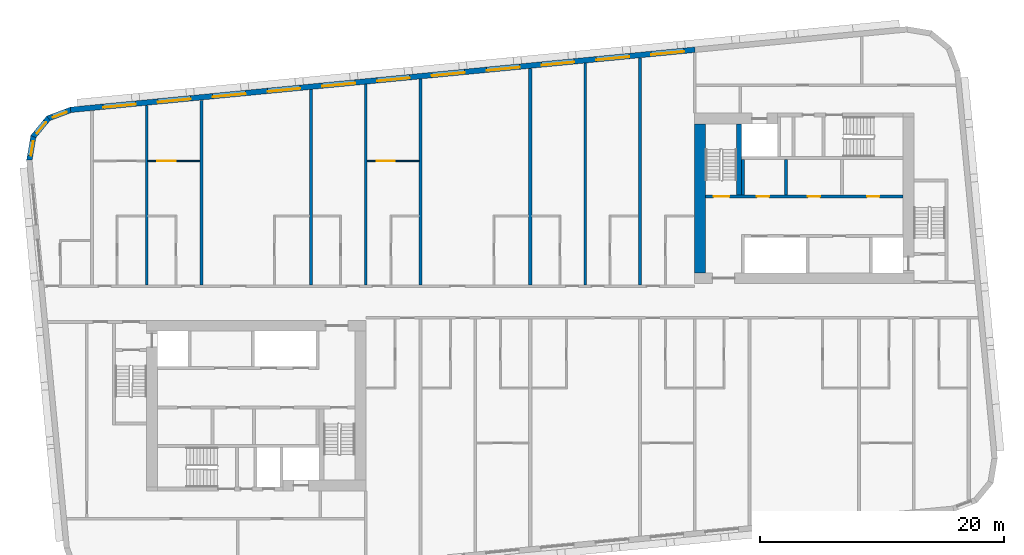
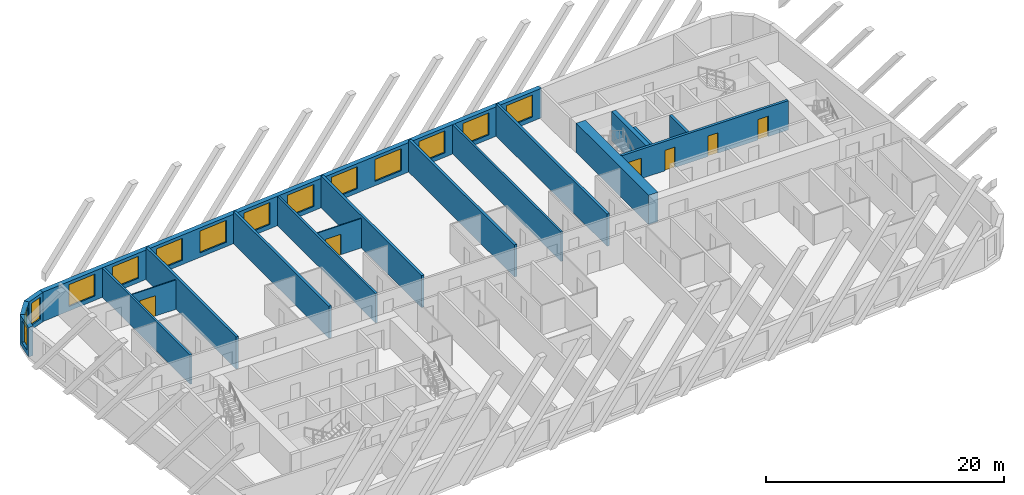
# One storey, part 6 of 13: 19 walls, 14 windows, 6 doors, 20 openings.
"""IFC4 building model written with IfcOpenShell, lengths in metres."""

from ifc_helpers import new_model, si_unit, direction, frame, frame_2d, origin, place, context, subcontext, project, spatial, polyline, rectangle, outline, extrude, material, layer, layer_set, type_object, element, fill, save


model = new_model("IFC4")

# Units and contexts
model_context = context("Model", 3, precision=1e-05, world=origin(), true_north=direction((0.0, 1.0)))
body_context = subcontext(model_context, "Body", "Model", "MODEL_VIEW")
ifc_project = project(units=[si_unit("LENGTHUNIT", "METRE"), si_unit("AREAUNIT", "SQUARE_METRE"), si_unit("VOLUMEUNIT", "CUBIC_METRE"), si_unit("PLANEANGLEUNIT", "RADIAN"), si_unit("MASSUNIT", "GRAM", prefix="KILO")], contexts=[model_context])

# Site, building, storey
site_placement = place(None, origin())
site = spatial("IfcSite", under=ifc_project, at=site_placement, CompositionType="ELEMENT")
building_placement = place(site_placement, origin())
building = spatial("IfcBuilding", under=site, at=building_placement, Name="Kajstack Hotel Tower", CompositionType="ELEMENT")
storey_placement = place(building_placement, frame((0.0, 0.0, 298.199951171875)))
storey = spatial("IfcBuildingStorey", under=building, at=storey_placement, Name="L75", CompositionType="ELEMENT", Elevation=298.199951171875)

# Walls
ifc_material_1 = material(Name="Concrete C60/75", Category="concrete")
ifc_layer_1 = layer(ifc_material_1, 0.89990234375)
ifc_layer_set_1 = layer_set([ifc_layer_1], Name="Core wall 900")
wall_type_1 = type_object("IfcWallType", Name="Core wall 900", PredefinedType="SHEAR", material=ifc_layer_set_1)
wall_1_placement = place(storey_placement, frame((13.949951171875, 2.39990234375, 0.0), z_axis=(0.0, 0.0, 1.0), x_axis=(0.0, 1.0, 0.0)))
element("IfcWall", 1, at=wall_1_placement, inside=storey, type_object=wall_type_1, Name="Core wall E RE", PredefinedType="SHEAR", context=body_context, shape_type="SweptSolid", body=[
    extrude(rectangle(XDim=12.2001953125, YDim=0.89990234375, at=frame_2d((6.10009765625, 0.0))), origin(), (0.0, 0.0, 1.0), 3.02001953125),
])
ifc_material_2 = material(Name="Twin-frame gypsum board on steel studs, mineral wool", Category="steel")
ifc_layer_2 = layer(ifc_material_2, 0.199951171875)
ifc_layer_set_2 = layer_set([ifc_layer_2], Name="Demising wall 200")
wall_type_2 = type_object("IfcWallType", Name="Demising wall 200", PredefinedType="PARTITIONING", material=ifc_layer_set_2)
wall_2_placement = place(storey_placement, frame((-31.5, 1.39990234375, 0.0), z_axis=(0.0, 0.0, 1.0), x_axis=(0.0, 1.0, 0.0)))
element("IfcWall", 2, at=wall_2_placement, inside=storey, type_object=wall_type_2, Name="G-wall-L75-006", PredefinedType="PARTITIONING", context=body_context, shape_type="SweptSolid", body=[
    extrude(rectangle(XDim=14.752197265625, YDim=0.199951171875, at=frame_2d((7.3759765625, 0.0))), origin(), (0.0, 0.0, 1.0), 3.02001953125),
])
wall_3_placement = place(storey_placement, frame((-13.5, 1.39990234375, 0.0), z_axis=(0.0, 0.0, 1.0), x_axis=(0.0, 1.0, 0.0)))
element("IfcWall", 3, at=wall_3_placement, inside=storey, type_object=wall_type_2, Name="G-wall-L75-015", PredefinedType="PARTITIONING", context=body_context, shape_type="SweptSolid", body=[
    extrude(rectangle(XDim=16.485107421875, YDim=0.199951171875, at=frame_2d((8.24267578125, 0.0))), origin(), (0.0, 0.0, 1.0), 3.02001953125),
])
wall_4_placement = place(storey_placement, frame((4.5, 1.39990234375, 0.0), z_axis=(0.0, 0.0, 1.0), x_axis=(0.0, 1.0, 0.0)))
element("IfcWall", 4, at=wall_4_placement, inside=storey, type_object=wall_type_2, Name="G-wall-L75-023", PredefinedType="PARTITIONING", context=body_context, shape_type="SweptSolid", body=[
    extrude(rectangle(XDim=18.218017578125, YDim=0.199951171875, at=frame_2d((9.10888671875, 0.0))), origin(), (0.0, 0.0, 1.0), 3.02001953125),
])

# Wall, openings, windows
ifc_material_3 = material(Name="Terracotta-faced brick masonry", Category="masonry")
ifc_layer_3 = layer(ifc_material_3, 0.449951171875)
ifc_layer_set_3 = layer_set([ifc_layer_3], Name="EW-TERRA")
wall_type_3 = type_object("IfcWallType", Name="EW-TERRA", PredefinedType="SOLIDWALL", material=ifc_layer_set_3)
wall_5_placement = place(storey_placement, frame((13.521484375, 20.712890625, 0.0), z_axis=(0.0, 0.0, 1.0), x_axis=(-0.995396277313, -0.095844932638, 0.0)))
wall_5 = element("IfcWall", 5, at=wall_5_placement, inside=storey, type_object=wall_type_3, Name="E-wall-L75-12-01", PredefinedType="SOLIDWALL", context=body_context, shape_type="SweptSolid", body=[
    extrude(rectangle(XDim=51.4951171875, YDim=0.449951171875, at=frame_2d((25.74755859375, 0.0))), origin(), (0.0, 0.0, 1.0), 3.02001953125),
])
opening_1_placement = place(wall_5_placement, frame((0.910400390625, 0.0, 0.449951171875)))
opening_1 = element("IfcOpeningElement", 6, at=opening_1_placement, cuts=wall_5, Name="Opening W1", PredefinedType="OPENING", context=body_context, shape_type="SweptSolid", body=[
    extrude(rectangle(XDim=2.699951171875, YDim=2.25, at=frame_2d((1.35009765625, 1.125))), frame((0.0, 0.23486328125, 0.0), z_axis=(0.0, -1.0, 0.0), x_axis=(1.0, 0.0, 0.0)), (0.0, 0.0, 1.0), 0.469970703125),
])
opening_2_placement = place(wall_5_placement, frame((5.43115234375, 0.0, 0.449951171875)))
opening_2 = element("IfcOpeningElement", 7, at=opening_2_placement, cuts=wall_5, Name="Opening W1", PredefinedType="OPENING", context=body_context, shape_type="SweptSolid", body=[
    extrude(rectangle(XDim=2.699951171875, YDim=2.25, at=frame_2d((1.35009765625, 1.125))), frame((0.0, 0.23486328125, 0.0), z_axis=(0.0, -1.0, 0.0), x_axis=(1.0, 0.0, 0.0)), (0.0, 0.0, 1.0), 0.469970703125),
])
opening_3_placement = place(wall_5_placement, frame((9.951904296875, 0.0, 0.449951171875)))
opening_3 = element("IfcOpeningElement", 8, at=opening_3_placement, cuts=wall_5, Name="Opening W1", PredefinedType="OPENING", context=body_context, shape_type="SweptSolid", body=[
    extrude(rectangle(XDim=2.699951171875, YDim=2.25, at=frame_2d((1.35009765625, 1.125))), frame((0.0, 0.23486328125, 0.0), z_axis=(0.0, -1.0, 0.0), x_axis=(1.0, 0.0, 0.0)), (0.0, 0.0, 1.0), 0.469970703125),
])
opening_4_placement = place(wall_5_placement, frame((14.472900390625, 0.0, 0.449951171875)))
opening_4 = element("IfcOpeningElement", 9, at=opening_4_placement, cuts=wall_5, Name="Opening W1", PredefinedType="OPENING", context=body_context, shape_type="SweptSolid", body=[
    extrude(rectangle(XDim=2.699951171875, YDim=2.25, at=frame_2d((1.35009765625, 1.125))), frame((0.0, 0.23486328125, 0.0), z_axis=(0.0, -1.0, 0.0), x_axis=(1.0, 0.0, 0.0)), (0.0, 0.0, 1.0), 0.469970703125),
])
opening_5_placement = place(wall_5_placement, frame((18.99365234375, 0.0, 0.449951171875)))
opening_5 = element("IfcOpeningElement", 10, at=opening_5_placement, cuts=wall_5, Name="Opening W1", PredefinedType="OPENING", context=body_context, shape_type="SweptSolid", body=[
    extrude(rectangle(XDim=2.699951171875, YDim=2.25, at=frame_2d((1.35009765625, 1.125))), frame((0.0, 0.23486328125, 0.0), z_axis=(0.0, -1.0, 0.0), x_axis=(1.0, 0.0, 0.0)), (0.0, 0.0, 1.0), 0.469970703125),
])
opening_6_placement = place(wall_5_placement, frame((23.514404296875, 0.0, 0.449951171875)))
opening_6 = element("IfcOpeningElement", 11, at=opening_6_placement, cuts=wall_5, Name="Opening W1", PredefinedType="OPENING", context=body_context, shape_type="SweptSolid", body=[
    extrude(rectangle(XDim=2.699951171875, YDim=2.25, at=frame_2d((1.35009765625, 1.125))), frame((0.0, 0.23486328125, 0.0), z_axis=(0.0, -1.0, 0.0), x_axis=(1.0, 0.0, 0.0)), (0.0, 0.0, 1.0), 0.469970703125),
])
opening_7_placement = place(wall_5_placement, frame((28.035400390625, 0.0, 0.449951171875)))
opening_7 = element("IfcOpeningElement", 12, at=opening_7_placement, cuts=wall_5, Name="Opening W1", PredefinedType="OPENING", context=body_context, shape_type="SweptSolid", body=[
    extrude(rectangle(XDim=2.699951171875, YDim=2.25, at=frame_2d((1.35009765625, 1.125))), frame((0.0, 0.23486328125, 0.0), z_axis=(0.0, -1.0, 0.0), x_axis=(1.0, 0.0, 0.0)), (0.0, 0.0, 1.0), 0.469970703125),
])
opening_8_placement = place(wall_5_placement, frame((32.55615234375, 0.0, 0.449951171875)))
opening_8 = element("IfcOpeningElement", 13, at=opening_8_placement, cuts=wall_5, Name="Opening W1", PredefinedType="OPENING", context=body_context, shape_type="SweptSolid", body=[
    extrude(rectangle(XDim=2.699951171875, YDim=2.25, at=frame_2d((1.35009765625, 1.125))), frame((0.0, 0.23486328125, 0.0), z_axis=(0.0, -1.0, 0.0), x_axis=(1.0, 0.0, 0.0)), (0.0, 0.0, 1.0), 0.469970703125),
])
opening_9_placement = place(wall_5_placement, frame((37.076904296875, 0.0, 0.449951171875)))
opening_9 = element("IfcOpeningElement", 14, at=opening_9_placement, cuts=wall_5, Name="Opening W1", PredefinedType="OPENING", context=body_context, shape_type="SweptSolid", body=[
    extrude(rectangle(XDim=2.699951171875, YDim=2.25, at=frame_2d((1.35009765625, 1.125))), frame((0.0, 0.23486328125, 0.0), z_axis=(0.0, -1.0, 0.0), x_axis=(1.0, 0.0, 0.0)), (0.0, 0.0, 1.0), 0.469970703125),
])
opening_10_placement = place(wall_5_placement, frame((41.59765625, 0.0, 0.449951171875)))
opening_10 = element("IfcOpeningElement", 15, at=opening_10_placement, cuts=wall_5, Name="Opening W1", PredefinedType="OPENING", context=body_context, shape_type="SweptSolid", body=[
    extrude(rectangle(XDim=2.699951171875, YDim=2.25, at=frame_2d((1.35009765625, 1.125))), frame((0.0, 0.23486328125, 0.0), z_axis=(0.0, -1.0, 0.0), x_axis=(1.0, 0.0, 0.0)), (0.0, 0.0, 1.0), 0.469970703125),
])
opening_11_placement = place(wall_5_placement, frame((46.118408203125, 0.0, 0.449951171875)))
opening_11 = element("IfcOpeningElement", 16, at=opening_11_placement, cuts=wall_5, Name="Opening W1", PredefinedType="OPENING", context=body_context, shape_type="SweptSolid", body=[
    extrude(rectangle(XDim=2.699951171875, YDim=2.25, at=frame_2d((1.35009765625, 1.125))), frame((0.0, 0.23486328125, 0.0), z_axis=(0.0, -1.0, 0.0), x_axis=(1.0, 0.0, 0.0)), (0.0, 0.0, 1.0), 0.469970703125),
])
ifc_material_4 = material(Name="Timber-aluminium window, triple glazed", Category="wood")
window_type_1 = type_object("IfcWindowType", Name="WG1", PartitioningType="SINGLE_PANEL", PredefinedType="WINDOW", material=ifc_material_4)
window_1_placement = place(opening_1_placement, origin())
window_1 = element("IfcWindow", 17, at=window_1_placement, inside=storey, type_object=window_type_1, Name="Window W1 L75-12", OverallHeight=2.25, OverallWidth=2.699951171875, PartitioningType="SINGLE_PANEL", PredefinedType="WINDOW", context=body_context, shape_type="SweptSolid", body=[
    extrude(rectangle(XDim=2.699951171875, YDim=2.25, at=frame_2d((1.35009765625, 1.125))), frame((0.0, 0.090087890625, 0.0), z_axis=(0.0, -1.0, 0.0), x_axis=(1.0, 0.0, 0.0)), (0.0, 0.0, 1.0), 0.06005859375),
])
fill(opening_1, window_1)
window_2_placement = place(opening_2_placement, origin())
window_2 = element("IfcWindow", 18, at=window_2_placement, inside=storey, type_object=window_type_1, Name="Window W1 L75-12", OverallHeight=2.25, OverallWidth=2.699951171875, PartitioningType="SINGLE_PANEL", PredefinedType="WINDOW", context=body_context, shape_type="SweptSolid", body=[
    extrude(rectangle(XDim=2.699951171875, YDim=2.25, at=frame_2d((1.35009765625, 1.125))), frame((0.0, 0.090087890625, 0.0), z_axis=(0.0, -1.0, 0.0), x_axis=(1.0, 0.0, 0.0)), (0.0, 0.0, 1.0), 0.06005859375),
])
fill(opening_2, window_2)
window_3_placement = place(opening_3_placement, origin())
window_3 = element("IfcWindow", 19, at=window_3_placement, inside=storey, type_object=window_type_1, Name="Window W1 L75-12", OverallHeight=2.25, OverallWidth=2.699951171875, PartitioningType="SINGLE_PANEL", PredefinedType="WINDOW", context=body_context, shape_type="SweptSolid", body=[
    extrude(rectangle(XDim=2.699951171875, YDim=2.25, at=frame_2d((1.35009765625, 1.125))), frame((0.0, 0.090087890625, 0.0), z_axis=(0.0, -1.0, 0.0), x_axis=(1.0, 0.0, 0.0)), (0.0, 0.0, 1.0), 0.06005859375),
])
fill(opening_3, window_3)
window_4_placement = place(opening_4_placement, origin())
window_4 = element("IfcWindow", 20, at=window_4_placement, inside=storey, type_object=window_type_1, Name="Window W1 L75-12", OverallHeight=2.25, OverallWidth=2.699951171875, PartitioningType="SINGLE_PANEL", PredefinedType="WINDOW", context=body_context, shape_type="SweptSolid", body=[
    extrude(rectangle(XDim=2.699951171875, YDim=2.25, at=frame_2d((1.35009765625, 1.125))), frame((0.0, 0.090087890625, 0.0), z_axis=(0.0, -1.0, 0.0), x_axis=(1.0, 0.0, 0.0)), (0.0, 0.0, 1.0), 0.06005859375),
])
fill(opening_4, window_4)
window_5_placement = place(opening_5_placement, origin())
window_5 = element("IfcWindow", 21, at=window_5_placement, inside=storey, type_object=window_type_1, Name="Window W1 L75-12", OverallHeight=2.25, OverallWidth=2.699951171875, PartitioningType="SINGLE_PANEL", PredefinedType="WINDOW", context=body_context, shape_type="SweptSolid", body=[
    extrude(rectangle(XDim=2.699951171875, YDim=2.25, at=frame_2d((1.35009765625, 1.125))), frame((0.0, 0.090087890625, 0.0), z_axis=(0.0, -1.0, 0.0), x_axis=(1.0, 0.0, 0.0)), (0.0, 0.0, 1.0), 0.06005859375),
])
fill(opening_5, window_5)
window_6_placement = place(opening_6_placement, origin())
window_6 = element("IfcWindow", 22, at=window_6_placement, inside=storey, type_object=window_type_1, Name="Window W1 L75-12", OverallHeight=2.25, OverallWidth=2.699951171875, PartitioningType="SINGLE_PANEL", PredefinedType="WINDOW", context=body_context, shape_type="SweptSolid", body=[
    extrude(rectangle(XDim=2.699951171875, YDim=2.25, at=frame_2d((1.35009765625, 1.125))), frame((0.0, 0.090087890625, 0.0), z_axis=(0.0, -1.0, 0.0), x_axis=(1.0, 0.0, 0.0)), (0.0, 0.0, 1.0), 0.06005859375),
])
fill(opening_6, window_6)
window_7_placement = place(opening_7_placement, origin())
window_7 = element("IfcWindow", 23, at=window_7_placement, inside=storey, type_object=window_type_1, Name="Window W1 L75-12", OverallHeight=2.25, OverallWidth=2.699951171875, PartitioningType="SINGLE_PANEL", PredefinedType="WINDOW", context=body_context, shape_type="SweptSolid", body=[
    extrude(rectangle(XDim=2.699951171875, YDim=2.25, at=frame_2d((1.35009765625, 1.125))), frame((0.0, 0.090087890625, 0.0), z_axis=(0.0, -1.0, 0.0), x_axis=(1.0, 0.0, 0.0)), (0.0, 0.0, 1.0), 0.06005859375),
])
fill(opening_7, window_7)
window_8_placement = place(opening_8_placement, origin())
window_8 = element("IfcWindow", 24, at=window_8_placement, inside=storey, type_object=window_type_1, Name="Window W1 L75-12", OverallHeight=2.25, OverallWidth=2.699951171875, PartitioningType="SINGLE_PANEL", PredefinedType="WINDOW", context=body_context, shape_type="SweptSolid", body=[
    extrude(rectangle(XDim=2.699951171875, YDim=2.25, at=frame_2d((1.35009765625, 1.125))), frame((0.0, 0.090087890625, 0.0), z_axis=(0.0, -1.0, 0.0), x_axis=(1.0, 0.0, 0.0)), (0.0, 0.0, 1.0), 0.06005859375),
])
fill(opening_8, window_8)
window_9_placement = place(opening_9_placement, origin())
window_9 = element("IfcWindow", 25, at=window_9_placement, inside=storey, type_object=window_type_1, Name="Window W1 L75-12", OverallHeight=2.25, OverallWidth=2.699951171875, PartitioningType="SINGLE_PANEL", PredefinedType="WINDOW", context=body_context, shape_type="SweptSolid", body=[
    extrude(rectangle(XDim=2.699951171875, YDim=2.25, at=frame_2d((1.35009765625, 1.125))), frame((0.0, 0.090087890625, 0.0), z_axis=(0.0, -1.0, 0.0), x_axis=(1.0, 0.0, 0.0)), (0.0, 0.0, 1.0), 0.06005859375),
])
fill(opening_9, window_9)
window_10_placement = place(opening_10_placement, origin())
window_10 = element("IfcWindow", 26, at=window_10_placement, inside=storey, type_object=window_type_1, Name="Window W1 L75-12", OverallHeight=2.25, OverallWidth=2.699951171875, PartitioningType="SINGLE_PANEL", PredefinedType="WINDOW", context=body_context, shape_type="SweptSolid", body=[
    extrude(rectangle(XDim=2.699951171875, YDim=2.25, at=frame_2d((1.35009765625, 1.125))), frame((0.0, 0.090087890625, 0.0), z_axis=(0.0, -1.0, 0.0), x_axis=(1.0, 0.0, 0.0)), (0.0, 0.0, 1.0), 0.06005859375),
])
fill(opening_10, window_10)
window_11_placement = place(opening_11_placement, origin())
window_11 = element("IfcWindow", 27, at=window_11_placement, inside=storey, type_object=window_type_1, Name="Window W1 L75-12", OverallHeight=2.25, OverallWidth=2.699951171875, PartitioningType="SINGLE_PANEL", PredefinedType="WINDOW", context=body_context, shape_type="SweptSolid", body=[
    extrude(rectangle(XDim=2.699951171875, YDim=2.25, at=frame_2d((1.35009765625, 1.125))), frame((0.0, 0.090087890625, 0.0), z_axis=(0.0, -1.0, 0.0), x_axis=(1.0, 0.0, 0.0)), (0.0, 0.0, 1.0), 0.06005859375),
])
fill(opening_11, window_11)

# Wall, opening, window
wall_6_placement = place(storey_placement, frame((-37.67919921875, 15.79052734375, 0.0), z_axis=(0.0, 0.0, 1.0), x_axis=(-0.936677599948, -0.350192909346, 0.0)))
wall_6 = element("IfcWall", 28, at=wall_6_placement, inside=storey, type_object=wall_type_3, Name="E-wall-L75-13-00", PredefinedType="SOLIDWALL", context=body_context, shape_type="SweptSolid", body=[
    extrude(outline(polyline([(0.000244140625, -0.224853515625), (2.070556640625, -0.224853515625), (1.949951171875, 0.22509765625), (0.12060546875, 0.22509765625), (0.000244140625, -0.224853515625)])), origin(), (0.0, 0.0, 1.0), 3.02001953125),
])
opening_12_placement = place(wall_6_placement, frame((0.435302734375, 0.0, 0.449951171875)))
opening_12 = element("IfcOpeningElement", 29, at=opening_12_placement, cuts=wall_6, Name="Opening W3", PredefinedType="OPENING", context=body_context, shape_type="SweptSolid", body=[
    extrude(rectangle(XDim=1.199951171875, YDim=2.25, at=frame_2d((0.60009765625, 1.125))), frame((0.0, 0.23486328125, 0.0), z_axis=(0.0, -1.0, 0.0), x_axis=(1.0, 0.0, 0.0)), (0.0, 0.0, 1.0), 0.469970703125),
])
window_type_2 = type_object("IfcWindowType", Name="WG3", PartitioningType="SINGLE_PANEL", PredefinedType="WINDOW", material=ifc_material_4)
window_12_placement = place(opening_12_placement, origin())
window_12 = element("IfcWindow", 30, at=window_12_placement, inside=storey, type_object=window_type_2, Name="Window W3 L75-13", OverallHeight=2.25, OverallWidth=1.199951171875, PartitioningType="SINGLE_PANEL", PredefinedType="WINDOW", context=body_context, shape_type="SweptSolid", body=[
    extrude(rectangle(XDim=1.199951171875, YDim=2.25, at=frame_2d((0.60009765625, 1.125))), frame((0.0, 0.090087890625, 0.0), z_axis=(0.0, -1.0, 0.0), x_axis=(1.0, 0.0, 0.0)), (0.0, 0.0, 1.0), 0.06005859375),
])
fill(opening_12, window_12)

wall_7_placement = place(storey_placement, frame((-39.52392578125, 15.133056640625, 0.0), z_axis=(0.0, 0.0, 1.0), x_axis=(-0.636046112757, -0.771651049663, 0.0)))
wall_7 = element("IfcWall", 31, at=wall_7_placement, inside=storey, type_object=wall_type_3, Name="E-wall-L75-14-00", PredefinedType="SOLIDWALL", context=body_context, shape_type="SweptSolid", body=[
    extrude(outline(polyline([(0.0, -0.224853515625), (2.070556640625, -0.224853515625), (1.949951171875, 0.22509765625), (0.12060546875, 0.22509765625), (0.0, -0.224853515625)])), origin(), (0.0, 0.0, 1.0), 3.02001953125),
])
opening_13_placement = place(wall_7_placement, frame((0.435302734375, 0.0, 0.449951171875)))
opening_13 = element("IfcOpeningElement", 32, at=opening_13_placement, cuts=wall_7, Name="Opening W3", PredefinedType="OPENING", context=body_context, shape_type="SweptSolid", body=[
    extrude(rectangle(XDim=1.199951171875, YDim=2.25, at=frame_2d((0.60009765625, 1.125))), frame((0.0, 0.23486328125, 0.0), z_axis=(0.0, -1.0, 0.0), x_axis=(1.0, 0.0, 0.0)), (0.0, 0.0, 1.0), 0.469970703125),
])
window_13_placement = place(opening_13_placement, origin())
window_13 = element("IfcWindow", 33, at=window_13_placement, inside=storey, type_object=window_type_2, Name="Window W3 L75-14", OverallHeight=2.25, OverallWidth=1.199951171875, PartitioningType="SINGLE_PANEL", PredefinedType="WINDOW", context=body_context, shape_type="SweptSolid", body=[
    extrude(rectangle(XDim=1.199951171875, YDim=2.25, at=frame_2d((0.60009765625, 1.125))), frame((0.0, 0.090087890625, 0.0), z_axis=(0.0, -1.0, 0.0), x_axis=(1.0, 0.0, 0.0)), (0.0, 0.0, 1.0), 0.06005859375),
])
fill(opening_13, window_13)

wall_8_placement = place(storey_placement, frame((-40.79248046875, 13.641357421875, 0.0), z_axis=(0.0, 0.0, 1.0), x_axis=(-0.165068144653, -0.986282164302, 0.0)))
wall_8 = element("IfcWall", 34, at=wall_8_placement, inside=storey, type_object=wall_type_3, Name="E-wall-L75-15-00", PredefinedType="SOLIDWALL", context=body_context, shape_type="SweptSolid", body=[
    extrude(outline(polyline([(0.0, -0.22509765625), (2.070556640625, -0.22509765625), (1.949951171875, 0.224853515625), (0.12060546875, 0.224853515625), (0.0, -0.22509765625)])), origin(), (0.0, 0.0, 1.0), 3.02001953125),
])
opening_14_placement = place(wall_8_placement, frame((0.435302734375, 0.0, 0.449951171875)))
opening_14 = element("IfcOpeningElement", 35, at=opening_14_placement, cuts=wall_8, Name="Opening W3", PredefinedType="OPENING", context=body_context, shape_type="SweptSolid", body=[
    extrude(rectangle(XDim=1.199951171875, YDim=2.25, at=frame_2d((0.60009765625, 1.125))), frame((0.0, 0.23486328125, 0.0), z_axis=(0.0, -1.0, 0.0), x_axis=(1.0, 0.0, 0.0)), (0.0, 0.0, 1.0), 0.469970703125),
])
window_14_placement = place(opening_14_placement, origin())
window_14 = element("IfcWindow", 36, at=window_14_placement, inside=storey, type_object=window_type_2, Name="Window W3 L75-15", OverallHeight=2.25, OverallWidth=1.199951171875, PartitioningType="SINGLE_PANEL", PredefinedType="WINDOW", context=body_context, shape_type="SweptSolid", body=[
    extrude(rectangle(XDim=1.199951171875, YDim=2.25, at=frame_2d((0.60009765625, 1.125))), frame((0.0, 0.090087890625, 0.0), z_axis=(0.0, -1.0, 0.0), x_axis=(1.0, 0.0, 0.0)), (0.0, 0.0, 1.0), 0.06005859375),
])
fill(opening_14, window_14)

# Wall, opening, door
ifc_material_5 = material(Name="Gypsum board on steel studs", Category="steel")
ifc_layer_4 = layer(ifc_material_5, 0.10009765625)
ifc_layer_set_4 = layer_set([ifc_layer_4], Name="Partition 100")
wall_type_4 = type_object("IfcWallType", Name="Partition 100", PredefinedType="PARTITIONING", material=ifc_layer_set_4)
wall_9_placement = place(storey_placement, frame((-31.39990234375, 11.574951171875, 0.0), z_axis=(0.0, 0.0, 1.0), x_axis=(1.0, 0.0, 0.0)))
wall_9 = element("IfcWall", 37, at=wall_9_placement, inside=storey, type_object=wall_type_4, Name="G-wall-L75-012", PredefinedType="PARTITIONING", context=body_context, shape_type="SweptSolid", body=[
    extrude(rectangle(XDim=4.27490234375, YDim=0.10009765625, at=frame_2d((2.137451171875, 0.0))), origin(), (0.0, 0.0, 1.0), 3.02001953125),
])
opening_15_placement = place(wall_9_placement, frame((0.787109375, 0.0, 0.0)))
opening_15 = element("IfcOpeningElement", 38, at=opening_15_placement, cuts=wall_9, Name="Opening 75008", PredefinedType="OPENING", context=body_context, shape_type="SweptSolid", body=[
    extrude(rectangle(XDim=1.5, YDim=2.10009765625, at=frame_2d((0.75, 1.050048828125))), frame((0.0, 0.06005859375, 0.0), z_axis=(0.0, -1.0, 0.0), x_axis=(1.0, 0.0, 0.0)), (0.0, 0.0, 1.0), 0.1201171875),
])
ifc_material_6 = material(Name="Painted timber door leaves, glazed panels", Category="wood")
door_type_1 = type_object("IfcDoorType", Name="Double door 1500", OperationType="SINGLE_SWING_LEFT", PredefinedType="DOOR", material=ifc_material_6)
door_1_placement = place(opening_15_placement, origin())
door_1 = element("IfcDoor", 39, at=door_1_placement, inside=storey, type_object=door_type_1, Name="G-door-L75-08", OperationType="SINGLE_SWING_RIGHT", OverallHeight=2.10009765625, OverallWidth=1.5, PredefinedType="DOOR", context=body_context, shape_type="SweptSolid", body=[
    extrude(rectangle(XDim=1.5, YDim=2.10009765625, at=frame_2d((0.75, 1.050048828125))), frame((0.0, 0.02490234375, 0.0), z_axis=(0.0, -1.0, 0.0), x_axis=(1.0, 0.0, 0.0)), (0.0, 0.0, 1.0), 0.050048828125),
])
fill(opening_15, door_1)

wall_10_placement = place(storey_placement, frame((-13.39990234375, 11.574951171875, 0.0), z_axis=(0.0, 0.0, 1.0), x_axis=(1.0, 0.0, 0.0)))
wall_10 = element("IfcWall", 40, at=wall_10_placement, inside=storey, type_object=wall_type_4, Name="G-wall-L75-020", PredefinedType="PARTITIONING", context=body_context, shape_type="SweptSolid", body=[
    extrude(rectangle(XDim=4.27490234375, YDim=0.10009765625, at=frame_2d((2.137451171875, 0.0))), origin(), (0.0, 0.0, 1.0), 3.02001953125),
])
opening_16_placement = place(wall_10_placement, frame((0.7880859375, 0.0, 0.0)))
opening_16 = element("IfcOpeningElement", 41, at=opening_16_placement, cuts=wall_10, Name="Opening 75015", PredefinedType="OPENING", context=body_context, shape_type="SweptSolid", body=[
    extrude(rectangle(XDim=1.5, YDim=2.10009765625, at=frame_2d((0.75, 1.050048828125))), frame((0.0, 0.06005859375, 0.0), z_axis=(0.0, -1.0, 0.0), x_axis=(1.0, 0.0, 0.0)), (0.0, 0.0, 1.0), 0.1201171875),
])
door_2_placement = place(opening_16_placement, origin())
door_2 = element("IfcDoor", 42, at=door_2_placement, inside=storey, type_object=door_type_1, Name="G-door-L75-15", OperationType="SINGLE_SWING_LEFT", OverallHeight=2.10009765625, OverallWidth=1.5, PredefinedType="DOOR", context=body_context, shape_type="SweptSolid", body=[
    extrude(rectangle(XDim=1.5, YDim=2.10009765625, at=frame_2d((0.75, 1.050048828125))), frame((0.0, 0.02490234375, 0.0), z_axis=(0.0, -1.0, 0.0), x_axis=(1.0, 0.0, 0.0)), (0.0, 0.0, 1.0), 0.050048828125),
])
fill(opening_16, door_2)

# Walls
ifc_material_7 = material(Name="Concrete C40/50", Category="concrete")
ifc_layer_5 = layer(ifc_material_7, 0.25)
ifc_layer_set_5 = layer_set([ifc_layer_5], Name="RC cross wall 250 C40/50")
wall_type_5 = type_object("IfcWallType", Name="RC cross wall 250 C40/50", PredefinedType="SHEAR", material=ifc_layer_set_5)
wall_11_placement = place(storey_placement, frame((-27.0, 1.39990234375, 0.0), z_axis=(0.0, 0.0, 1.0), x_axis=(0.0, 1.0, 0.0)))
element("IfcWall", 43, at=wall_11_placement, inside=storey, type_object=wall_type_5, Name="S-wall-L75-02", PredefinedType="SHEAR", context=body_context, shape_type="SweptSolid", body=[
    extrude(rectangle(XDim=15.1630859375, YDim=0.25, at=frame_2d((7.58154296875, 0.0))), origin(), (0.0, 0.0, 1.0), 3.300048828125),
])
wall_12_placement = place(storey_placement, frame((-18.0, 1.39990234375, 0.0), z_axis=(0.0, 0.0, 1.0), x_axis=(0.0, 1.0, 0.0)))
element("IfcWall", 44, at=wall_12_placement, inside=storey, type_object=wall_type_5, Name="S-wall-L75-03", PredefinedType="SHEAR", context=body_context, shape_type="SweptSolid", body=[
    extrude(rectangle(XDim=16.029541015625, YDim=0.25, at=frame_2d((8.0146484375, 0.0))), origin(), (0.0, 0.0, 1.0), 3.300048828125),
])
wall_13_placement = place(storey_placement, frame((-9.0, 1.39990234375, 0.0), z_axis=(0.0, 0.0, 1.0), x_axis=(0.0, 1.0, 0.0)))
element("IfcWall", 45, at=wall_13_placement, inside=storey, type_object=wall_type_5, Name="S-wall-L75-05", PredefinedType="SHEAR", context=body_context, shape_type="SweptSolid", body=[
    extrude(rectangle(XDim=16.896240234375, YDim=0.25, at=frame_2d((8.4482421875, 0.0))), origin(), (0.0, 0.0, 1.0), 3.300048828125),
])
wall_14_placement = place(storey_placement, frame((0.0, 1.39990234375, 0.0), z_axis=(0.0, 0.0, 1.0), x_axis=(0.0, 1.0, 0.0)))
element("IfcWall", 46, at=wall_14_placement, inside=storey, type_object=wall_type_5, Name="S-wall-L75-07", PredefinedType="SHEAR", context=body_context, shape_type="SweptSolid", body=[
    extrude(rectangle(XDim=17.7626953125, YDim=0.25, at=frame_2d((8.88134765625, 0.0))), origin(), (0.0, 0.0, 1.0), 3.300048828125),
])
wall_15_placement = place(storey_placement, frame((9.0, 1.39990234375, 0.0), z_axis=(0.0, 0.0, 1.0), x_axis=(0.0, 1.0, 0.0)))
element("IfcWall", 47, at=wall_15_placement, inside=storey, type_object=wall_type_5, Name="S-wall-L75-09", PredefinedType="SHEAR", context=body_context, shape_type="SweptSolid", body=[
    extrude(rectangle(XDim=18.62939453125, YDim=0.25, at=frame_2d((9.314697265625, 0.0))), origin(), (0.0, 0.0, 1.0), 3.300048828125),
])
ifc_material_8 = material(Name="Concrete block masonry", Category="masonry")
ifc_layer_6 = layer(ifc_material_8, 0.25)
ifc_layer_set_6 = layer_set([ifc_layer_6], Name="Riser partition 250")
wall_type_6 = type_object("IfcWallType", Name="Riser partition 250", PredefinedType="PARTITIONING", material=ifc_layer_set_6)
wall_16_placement = place(storey_placement, frame((21.0, 8.800048828125, 0.0), z_axis=(0.0, 0.0, 1.0), x_axis=(0.0, 1.0, 0.0)))
element("IfcWall", 48, at=wall_16_placement, inside=storey, type_object=wall_type_6, Name="Partition E BF1", PredefinedType="PARTITIONING", context=body_context, shape_type="SweptSolid", body=[
    extrude(rectangle(XDim=2.89990234375, YDim=0.25, at=frame_2d((1.449951171875, 0.0))), origin(), (0.0, 0.0, 1.0), 3.02001953125),
])

# Wall, openings, doors
ifc_material_9 = material(Name="Concrete C50/60", Category="concrete")
ifc_layer_7 = layer(ifc_material_9, 0.25)
ifc_layer_set_7 = layer_set([ifc_layer_7], Name="Shaft wall 250")
wall_type_7 = type_object("IfcWallType", Name="Shaft wall 250", PredefinedType="SHEAR", material=ifc_layer_set_7)
wall_17_placement = place(storey_placement, frame((14.39990234375, 8.675048828125, 0.0), z_axis=(0.0, 0.0, 1.0), x_axis=(1.0, 0.0, 0.0)))
wall_17 = element("IfcWall", 49, at=wall_17_placement, inside=storey, type_object=wall_type_7, Name="Core wall E FB", PredefinedType="SHEAR", context=body_context, shape_type="SweptSolid", body=[
    extrude(rectangle(XDim=16.2001953125, YDim=0.25, at=frame_2d((8.10009765625, 0.0))), origin(), (0.0, 0.0, 1.0), 3.02001953125),
])
opening_17_placement = place(wall_17_placement, frame((0.64990234375, 0.0, 0.0)))
opening_17 = element("IfcOpeningElement", 50, at=opening_17_placement, cuts=wall_17, Name="Opening 75E09", PredefinedType="OPENING", context=body_context, shape_type="SweptSolid", body=[
    extrude(rectangle(XDim=1.300048828125, YDim=2.10009765625, at=frame_2d((0.64990234375, 1.050048828125))), frame((0.0, 0.135009765625, 0.0), z_axis=(0.0, -1.0, 0.0), x_axis=(1.0, 0.0, 0.0)), (0.0, 0.0, 1.0), 0.27001953125),
])
opening_18_placement = place(wall_17_placement, frame((13.262451171875, 0.0, 0.0)))
opening_18 = element("IfcOpeningElement", 51, at=opening_18_placement, cuts=wall_17, Name="Opening 75E12", PredefinedType="OPENING", context=body_context, shape_type="SweptSolid", body=[
    extrude(rectangle(XDim=1.0, YDim=2.10009765625, at=frame_2d((0.5, 1.050048828125))), frame((0.0, 0.135009765625, 0.0), z_axis=(0.0, -1.0, 0.0), x_axis=(1.0, 0.0, 0.0)), (0.0, 0.0, 1.0), 0.27001953125),
])
opening_19_placement = place(wall_17_placement, frame((8.39990234375, 0.0, 0.0)))
opening_19 = element("IfcOpeningElement", 52, at=opening_19_placement, cuts=wall_17, Name="Opening 75E13", PredefinedType="OPENING", context=body_context, shape_type="SweptSolid", body=[
    extrude(rectangle(XDim=1.0, YDim=2.10009765625, at=frame_2d((0.5, 1.050048828125))), frame((0.0, 0.135009765625, 0.0), z_axis=(0.0, -1.0, 0.0), x_axis=(1.0, 0.0, 0.0)), (0.0, 0.0, 1.0), 0.27001953125),
])
opening_20_placement = place(wall_17_placement, frame((4.21240234375, 0.0, 0.0)))
opening_20 = element("IfcOpeningElement", 53, at=opening_20_placement, cuts=wall_17, Name="Opening 75E14", PredefinedType="OPENING", context=body_context, shape_type="SweptSolid", body=[
    extrude(rectangle(XDim=1.0, YDim=2.10009765625, at=frame_2d((0.5, 1.050048828125))), frame((0.0, 0.135009765625, 0.0), z_axis=(0.0, -1.0, 0.0), x_axis=(1.0, 0.0, 0.0)), (0.0, 0.0, 1.0), 0.27001953125),
])
ifc_material_10 = material(Name="Timber leaf, fire-rated", Category="wood")
door_type_2 = type_object("IfcDoorType", Name="Service room door 1000", OperationType="SINGLE_SWING_LEFT", PredefinedType="DOOR", material=ifc_material_10)
door_3_placement = place(opening_18_placement, origin())
door_3 = element("IfcDoor", 54, at=door_3_placement, inside=storey, type_object=door_type_2, Name="Door 75E12", OperationType="SINGLE_SWING_LEFT", OverallHeight=2.10009765625, OverallWidth=1.0, PredefinedType="DOOR", context=body_context, shape_type="SweptSolid", body=[
    extrude(rectangle(XDim=1.0, YDim=2.10009765625, at=frame_2d((0.5, 1.050048828125))), frame((0.0, 0.02490234375, 0.0), z_axis=(0.0, -1.0, 0.0), x_axis=(1.0, 0.0, 0.0)), (0.0, 0.0, 1.0), 0.050048828125),
])
fill(opening_18, door_3)
door_4_placement = place(opening_19_placement, origin())
door_4 = element("IfcDoor", 55, at=door_4_placement, inside=storey, type_object=door_type_2, Name="Door 75E13", OperationType="SINGLE_SWING_LEFT", OverallHeight=2.10009765625, OverallWidth=1.0, PredefinedType="DOOR", context=body_context, shape_type="SweptSolid", body=[
    extrude(rectangle(XDim=1.0, YDim=2.10009765625, at=frame_2d((0.5, 1.050048828125))), frame((0.0, 0.02490234375, 0.0), z_axis=(0.0, -1.0, 0.0), x_axis=(1.0, 0.0, 0.0)), (0.0, 0.0, 1.0), 0.050048828125),
])
fill(opening_19, door_4)
door_5_placement = place(opening_20_placement, origin())
door_5 = element("IfcDoor", 56, at=door_5_placement, inside=storey, type_object=door_type_2, Name="Door 75E14", OperationType="SINGLE_SWING_LEFT", OverallHeight=2.10009765625, OverallWidth=1.0, PredefinedType="DOOR", context=body_context, shape_type="SweptSolid", body=[
    extrude(rectangle(XDim=1.0, YDim=2.10009765625, at=frame_2d((0.5, 1.050048828125))), frame((0.0, 0.02490234375, 0.0), z_axis=(0.0, -1.0, 0.0), x_axis=(1.0, 0.0, 0.0)), (0.0, 0.0, 1.0), 0.050048828125),
])
fill(opening_20, door_5)
ifc_material_11 = material(Name="Steel leaf, fire-rated", Category="steel")
door_type_3 = type_object("IfcDoorType", Name="Stair door 1300", OperationType="SINGLE_SWING_LEFT", PredefinedType="DOOR", material=ifc_material_11)
door_6_placement = place(opening_17_placement, origin())
door_6 = element("IfcDoor", 57, at=door_6_placement, inside=storey, type_object=door_type_3, Name="Door 75E09", OperationType="SINGLE_SWING_LEFT", OverallHeight=2.10009765625, OverallWidth=1.300048828125, PredefinedType="DOOR", context=body_context, shape_type="SweptSolid", body=[
    extrude(rectangle(XDim=1.300048828125, YDim=2.10009765625, at=frame_2d((0.64990234375, 1.050048828125))), frame((0.0, 0.02490234375, 0.0), z_axis=(0.0, -1.0, 0.0), x_axis=(1.0, 0.0, 0.0)), (0.0, 0.0, 1.0), 0.050048828125),
])
fill(opening_17, door_6)

# Walls
wall_18_placement = place(storey_placement, frame((17.47509765625, 8.800048828125, 0.0), z_axis=(0.0, 0.0, 1.0), x_axis=(0.0, 1.0, 0.0)))
element("IfcWall", 58, at=wall_18_placement, inside=storey, type_object=wall_type_7, Name="Core wall E BE", PredefinedType="SHEAR", context=body_context, shape_type="SweptSolid", body=[
    extrude(rectangle(XDim=2.89990234375, YDim=0.25, at=frame_2d((1.449951171875, 0.0))), origin(), (0.0, 0.0, 1.0), 3.02001953125),
])
ifc_layer_8 = layer(ifc_material_9, 0.39990234375)
ifc_layer_set_8 = layer_set([ifc_layer_8], Name="Stair wall 400")
wall_type_8 = type_object("IfcWallType", Name="Stair wall 400", PredefinedType="SHEAR", material=ifc_layer_set_8)
wall_19_placement = place(storey_placement, frame((17.14990234375, 8.800048828125, 0.0), z_axis=(0.0, 0.0, 1.0), x_axis=(0.0, 1.0, 0.0)))
element("IfcWall", 59, at=wall_19_placement, inside=storey, type_object=wall_type_8, Name="Core wall E WW2", PredefinedType="SHEAR", context=body_context, shape_type="SweptSolid", body=[
    extrude(rectangle(XDim=5.800048828125, YDim=0.39990234375, at=frame_2d((2.89990234375, 0.0))), origin(), (0.0, 0.0, 1.0), 3.02001953125),
])

save(model, "model.ifc")
